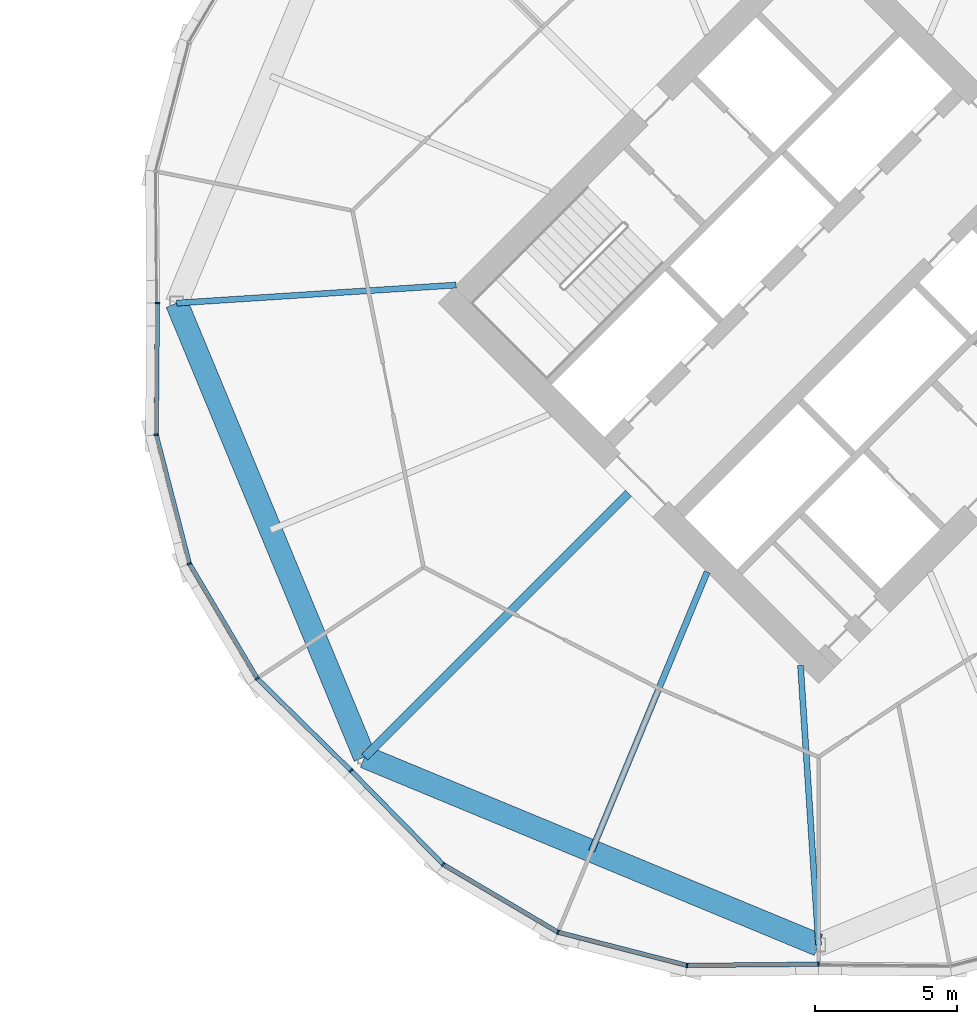
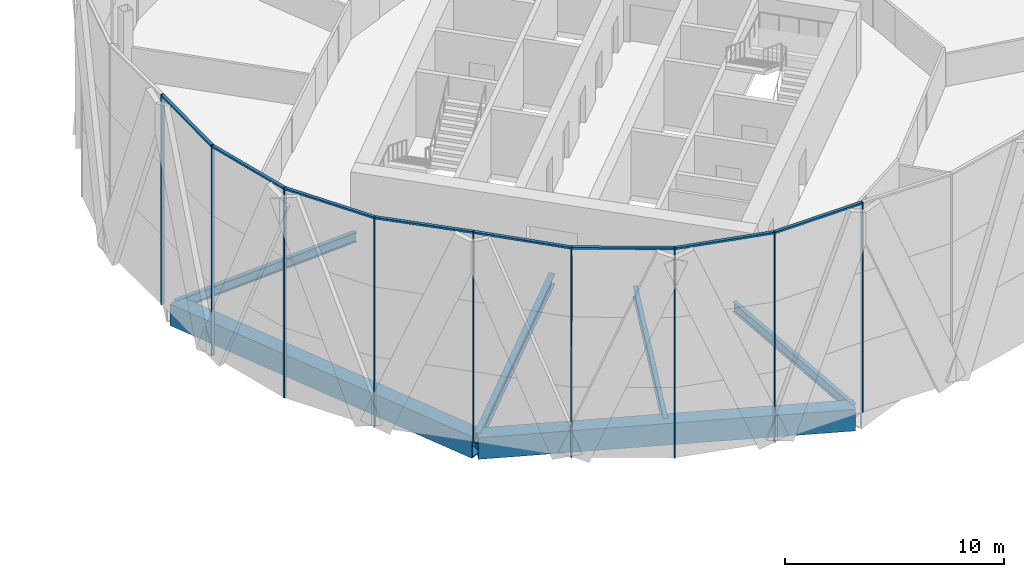
# One storey, part 10 of 26: 17 members, 6 beams, 3 elements without a shape of their own.
"""IFC4 building model written with IfcOpenShell, lengths in metres."""

from ifc_helpers import new_model, si_unit, direction, frame, origin, origin_2d, place, context, subcontext, project, spatial, rectangle, hollow_rectangle, i_section, extrude, material, material_profile, profile_set, type_object, element, aggregate, save


model = new_model("IFC4")

# Units and contexts
model_context = context("Model", 3, precision=1e-05, world=origin(), true_north=direction((0.0, 1.0)))
body_context = subcontext(model_context, "Body", "Model", "MODEL_VIEW")
ifc_project = project(units=[si_unit("LENGTHUNIT", "METRE"), si_unit("AREAUNIT", "SQUARE_METRE"), si_unit("VOLUMEUNIT", "CUBIC_METRE"), si_unit("PLANEANGLEUNIT", "RADIAN"), si_unit("MASSUNIT", "GRAM", prefix="KILO")], contexts=[model_context])

# Site, building, storey
site_placement = place(None, origin())
site = spatial("IfcSite", under=ifc_project, at=site_placement, CompositionType="ELEMENT")
building_placement = place(site_placement, origin())
building = spatial("IfcBuilding", under=site, at=building_placement, Name="Ogive Gate Towers", CompositionType="ELEMENT")
storey_placement = place(building_placement, frame((0.0, 0.0, 87.89990234375)))
storey = spatial("IfcBuildingStorey", under=building, at=storey_placement, Name="L20", CompositionType="ELEMENT", Elevation=87.89990234375)

# Beams
ifc_material_1 = material(Name="Steel SM460", Category="steel")
ifc_material_profile_1 = material_profile(ifc_material_1, hollow_rectangle(XDim=0.800048828125, YDim=1.199951171875, WallThickness=0.050048828125, at=origin_2d()), Name="BX 1200x800x50")
ifc_profile_set_1 = profile_set([ifc_material_profile_1], Name="Steel SM460")
beam_type_1 = type_object("IfcBeamType", Name="Edge girder BX 1200x800x50", PredefinedType="BEAM", material=ifc_profile_set_1)
for number, where, z_axis, x_axis, name in (
    (1, (19.969970703125, -16.030029296875, -0.89990234375), (0.923878777792, -0.382685254414, 0.0), (0.382685254414, 0.923878777792, 0.0), "T2/L20/SBM017"),
    (2, (13.330078125, 0.0, -0.89990234375), (0.382685254414, -0.923878777792, 0.0), (0.923878777792, 0.382685254414, 0.0), "T2/L20/SBM024"),
):
    element("IfcBeam", number, at=place(storey_placement, frame(where, z_axis=z_axis, x_axis=x_axis)), inside=storey, type_object=beam_type_1, Name=name, PredefinedType="BEAM", context=body_context, shape_type="SweptSolid", body=[
        extrude(hollow_rectangle(XDim=0.800048828125, YDim=1.199951171875, WallThickness=0.050048828125, at=origin_2d()), origin(), (0.0, 0.0, 1.0), 17.350830078125),
    ])
ifc_material_2 = material(Name="Steel SM355", Category="steel")
ifc_material_profile_2 = material_profile(ifc_material_2, i_section(OverallWidth=0.300048828125, OverallDepth=0.590087890625, WebThickness=0.012939453125, FlangeThickness=0.02490234375, FilletRadius=0.027099609375, at=origin_2d()), Name="HE 600 A")
ifc_profile_set_2 = profile_set([ifc_material_profile_2], Name="Steel SM355")
beam_type_2 = type_object("IfcBeamType", Name="Radial floor beam HE 600 A", PredefinedType="BEAM", material=ifc_profile_set_2)
beam_1_placement = place(storey_placement, frame((29.282470703125, -6.717529296875, -0.594970703125), z_axis=(-0.707106781187, -0.707106781187, 0.0), x_axis=(0.707106781187, -0.707106781187, 0.0)))
element("IfcBeam", 3, at=beam_1_placement, inside=storey, type_object=beam_type_2, Name="T2/L20/SBM001", PredefinedType="BEAM", context=body_context, shape_type="SweptSolid", body=[
    extrude(i_section(OverallWidth=0.300048828125, OverallDepth=0.590087890625, WebThickness=0.012939453125, FlangeThickness=0.02490234375, FilletRadius=0.027099609375, at=origin_2d()), origin(), (0.0, 0.0, 1.0), 13.169921875),
])
ifc_material_profile_3 = material_profile(ifc_material_2, i_section(OverallWidth=0.2099609375, OverallDepth=0.550048828125, WebThickness=0.010986328125, FlangeThickness=0.01708984375, FilletRadius=0.02392578125, at=origin_2d()), Name="IPE 550")
ifc_profile_set_3 = profile_set([ifc_material_profile_3], Name="Steel SM355")
beam_type_3 = type_object("IfcBeamType", Name="Radial floor beam IPE 550", PredefinedType="BEAM", material=ifc_profile_set_3)
for number, where, z_axis, x_axis, name in (
    (4, (35.363525390625, -12.798583984375, -0.574951171875), (0.064343427717, -0.997927814679, 0.0), (0.997927814679, 0.064343427717, 0.0), "T2/L20/SBM003"),
    (5, (23.201416015625, 0.636474609375, -0.574951171875), (-0.997927814679, -0.064343427717, 0.0), (0.064343427717, -0.997927814679, 0.0), "T2/L20/SBM015"),
):
    element("IfcBeam", number, at=place(storey_placement, frame(where, z_axis=z_axis, x_axis=x_axis)), inside=storey, type_object=beam_type_3, Name=name, PredefinedType="BEAM", context=body_context, shape_type="SweptSolid", body=[
        extrude(i_section(OverallWidth=0.2099609375, OverallDepth=0.550048828125, WebThickness=0.010986328125, FlangeThickness=0.01708984375, FilletRadius=0.02392578125, at=origin_2d()), origin(), (0.0, 0.0, 1.0), 9.891845703125),
    ])
ifc_material_profile_4 = material_profile(ifc_material_2, i_section(OverallWidth=0.219970703125, OverallDepth=0.60009765625, WebThickness=0.011962890625, FlangeThickness=0.01904296875, FilletRadius=0.02392578125, at=origin_2d()), Name="IPE 600")
ifc_profile_set_4 = profile_set([ifc_material_profile_4], Name="Steel SM355")
beam_type_4 = type_object("IfcBeamType", Name="Radial floor beam IPE 600", PredefinedType="BEAM", material=ifc_profile_set_4)
beam_2_placement = place(storey_placement, frame((32.06494140625, -9.5, -0.599853515625), z_axis=(-0.382686161148, -0.923878402208, 0.0), x_axis=(0.923878402208, -0.382686161148, 0.0)))
element("IfcBeam", 6, at=beam_2_placement, inside=storey, type_object=beam_type_4, Name="T2/L20/SBM002", PredefinedType="BEAM", context=body_context, shape_type="SweptSolid", body=[
    extrude(i_section(OverallWidth=0.219970703125, OverallDepth=0.60009765625, WebThickness=0.011962890625, FlangeThickness=0.01904296875, FilletRadius=0.02392578125, at=origin_2d()), origin(), (0.0, 0.0, 1.0), 10.66162109375),
])

# Curtain wall, member
ifc_material_3 = material(Name="Pale metal aluminium", Category="aluminium")
curtain_wall_type = type_object("IfcCurtainWallType", Name="Tower unitised wall, low zone", PredefinedType="NOTDEFINED", material=ifc_material_3)
curtain_wall_1_placement = place(storey_placement, origin())
curtain_wall_1 = element("IfcCurtainWall", 7, at=curtain_wall_1_placement, inside=storey, type_object=curtain_wall_type, Name="CW1 T2 ECW04", PredefinedType="NOTDEFINED")
ifc_material_profile_5 = material_profile(ifc_material_3, rectangle(XDim=0.159912109375, YDim=0.06005859375, at=origin_2d()), Name="60 x 160 aluminium box")
ifc_profile_set_5 = profile_set([ifc_material_profile_5], Name="Pale metal aluminium")
member_type_1 = type_object("IfcMemberType", Name="Tower unitised wall, low zone mullion 60 x 160", PredefinedType="MULLION", material=ifc_profile_set_5)
member_1_placement = place(storey_placement, frame((12.64990234375, 0.000244140625, -0.2998046875), z_axis=(0.0, 0.0, 1.0), x_axis=(-0.999956405756, -0.009337375811, 0.0)))
member_1 = element("IfcMember", 8, at=member_1_placement, type_object=member_type_1, Name="CW1 mullion", PredefinedType="MULLION", context=body_context, shape_type="SweptSolid", body=[
    extrude(rectangle(XDim=0.159912109375, YDim=0.06005859375, at=origin_2d()), origin(), (0.0, 0.0, 1.0), 11.699951171875),
])
aggregate(curtain_wall_1, [member_1])

# Curtain wall, members
curtain_wall_2_placement = place(storey_placement, origin())
curtain_wall_2 = element("IfcCurtainWall", 9, at=curtain_wall_2_placement, inside=storey, type_object=curtain_wall_type, Name="CW1 T2 ECW05", PredefinedType="NOTDEFINED")
member_2_placement = place(storey_placement, frame((12.6064453125, -4.647216796875, -0.2998046875), z_axis=(0.0, 0.0, 1.0), x_axis=(-0.992647900348, -0.121037787217, 0.0)))
member_2 = element("IfcMember", 10, at=member_2_placement, type_object=member_type_1, Name="CW1 mullion", PredefinedType="MULLION", context=body_context, shape_type="SweptSolid", body=[
    extrude(rectangle(XDim=0.159912109375, YDim=0.06005859375, at=origin_2d()), origin(), (0.0, 0.0, 1.0), 11.699951171875),
])
member_3_placement = place(storey_placement, frame((13.77978515625, -9.203857421875, -0.2998046875), z_axis=(0.0, 0.0, 1.0), x_axis=(-0.923879532511, -0.382683432365, 0.0)))
member_3 = element("IfcMember", 11, at=member_3_placement, type_object=member_type_1, Name="CW1 mullion", PredefinedType="MULLION", context=body_context, shape_type="SweptSolid", body=[
    extrude(rectangle(XDim=0.159912109375, YDim=0.06005859375, at=origin_2d()), origin(), (0.0, 0.0, 1.0), 11.699951171875),
])
member_4_placement = place(storey_placement, frame((16.172119140625, -13.255859375, -0.2998046875), z_axis=(0.0, 0.0, 1.0), x_axis=(-0.787494701787, -0.616321421546, 0.0)))
member_4 = element("IfcMember", 12, at=member_4_placement, type_object=member_type_1, Name="CW1 mullion", PredefinedType="MULLION", context=body_context, shape_type="SweptSolid", body=[
    extrude(rectangle(XDim=0.159912109375, YDim=0.06005859375, at=origin_2d()), origin(), (0.0, 0.0, 1.0), 11.699951171875),
])
member_5_placement = place(storey_placement, frame((19.489013671875, -16.5107421875, -0.2998046875), z_axis=(0.0, 0.0, 1.0), x_axis=(-0.700473433647, -0.713678477155, 0.0)))
member_5 = element("IfcMember", 13, at=member_5_placement, type_object=member_type_1, Name="CW1 mullion", PredefinedType="MULLION", context=body_context, shape_type="SweptSolid", body=[
    extrude(rectangle(XDim=0.159912109375, YDim=0.06005859375, at=origin_2d()), origin(), (0.0, 0.0, 1.0), 11.699951171875),
])

curtain_wall_3_placement = place(storey_placement, origin())
curtain_wall_3 = element("IfcCurtainWall", 14, at=curtain_wall_3_placement, inside=storey, type_object=curtain_wall_type, Name="CW1 T2 ECW06", PredefinedType="NOTDEFINED")
member_6_placement = place(storey_placement, frame((22.744140625, -19.827880859375, -0.2998046875), z_axis=(0.0, 0.0, 1.0), x_axis=(-0.616321421546, -0.787494701787, 0.0)))
member_6 = element("IfcMember", 15, at=member_6_placement, type_object=member_type_1, Name="CW1 mullion", PredefinedType="MULLION", context=body_context, shape_type="SweptSolid", body=[
    extrude(rectangle(XDim=0.159912109375, YDim=0.06005859375, at=origin_2d()), origin(), (0.0, 0.0, 1.0), 11.699951171875),
])
member_7_placement = place(storey_placement, frame((26.796142578125, -22.22021484375, -0.2998046875), z_axis=(0.0, 0.0, 1.0), x_axis=(-0.382683432365, -0.923879532511, 0.0)))
member_7 = element("IfcMember", 16, at=member_7_placement, type_object=member_type_1, Name="CW1 mullion", PredefinedType="MULLION", context=body_context, shape_type="SweptSolid", body=[
    extrude(rectangle(XDim=0.159912109375, YDim=0.06005859375, at=origin_2d()), origin(), (0.0, 0.0, 1.0), 11.699951171875),
])
member_8_placement = place(storey_placement, frame((31.352783203125, -23.3935546875, -0.2998046875), z_axis=(0.0, 0.0, 1.0), x_axis=(-0.121037787217, -0.992647900348, 0.0)))
member_8 = element("IfcMember", 17, at=member_8_placement, type_object=member_type_1, Name="CW1 mullion", PredefinedType="MULLION", context=body_context, shape_type="SweptSolid", body=[
    extrude(rectangle(XDim=0.159912109375, YDim=0.06005859375, at=origin_2d()), origin(), (0.0, 0.0, 1.0), 11.699951171875),
])
member_9_placement = place(storey_placement, frame((35.999755859375, -23.35009765625, -0.2998046875), z_axis=(0.0, 0.0, 1.0), x_axis=(0.009337375811, -0.999956405756, 0.0)))
member_9 = element("IfcMember", 18, at=member_9_placement, type_object=member_type_1, Name="CW1 mullion", PredefinedType="MULLION", context=body_context, shape_type="SweptSolid", body=[
    extrude(rectangle(XDim=0.159912109375, YDim=0.06005859375, at=origin_2d()), origin(), (0.0, 0.0, 1.0), 11.699951171875),
])

# Member
ifc_material_profile_6 = material_profile(ifc_material_3, rectangle(XDim=0.159912109375, YDim=0.10009765625, at=origin_2d()), Name="100 x 160 aluminium box")
ifc_profile_set_6 = profile_set([ifc_material_profile_6], Name="Pale metal aluminium")
member_type_2 = type_object("IfcMemberType", Name="Tower unitised wall, low zone transom 100 x 160", PredefinedType="USERDEFINED", material=ifc_profile_set_6)
member_10_placement = place(storey_placement, frame((12.649658203125, -0.0302734375, 11.35009765625), z_axis=(-0.009309097625, -0.999956669412, 0.0), x_axis=(0.999956669412, -0.009309097625, 0.0)))
member_10 = element("IfcMember", 19, at=member_10_placement, type_object=member_type_2, Name="CW1 transom", ObjectType="TRANSOM", PredefinedType="USERDEFINED", context=body_context, shape_type="SweptSolid", body=[
    extrude(rectangle(XDim=0.159912109375, YDim=0.10009765625, at=origin_2d()), origin(), (0.0, 0.0, 1.0), 4.589599609375),
])

member_11_placement = place(storey_placement, frame((12.61328125, -4.673583984375, 11.35009765625), z_axis=(0.249396942248, -0.968401345103, 0.0), x_axis=(0.968401345103, 0.249396942248, 0.0)))
member_11 = element("IfcMember", 20, at=member_11_placement, type_object=member_type_2, Name="CW1 transom", ObjectType="TRANSOM", PredefinedType="USERDEFINED", context=body_context, shape_type="SweptSolid", body=[
    extrude(rectangle(XDim=0.159912109375, YDim=0.10009765625, at=origin_2d()), origin(), (0.0, 0.0, 1.0), 4.65087890625),
])

member_12_placement = place(storey_placement, frame((13.793701171875, -9.227294921875, 11.35009765625), z_axis=(0.508446321339, -0.861093687305, 0.0), x_axis=(0.861093687305, 0.508446321339, 0.0)))
member_12 = element("IfcMember", 21, at=member_12_placement, type_object=member_type_2, Name="CW1 transom", ObjectType="TRANSOM", PredefinedType="USERDEFINED", context=body_context, shape_type="SweptSolid", body=[
    extrude(rectangle(XDim=0.159912109375, YDim=0.10009765625, at=origin_2d()), origin(), (0.0, 0.0, 1.0), 4.65087890625),
])

member_13_placement = place(storey_placement, frame((16.19189453125, -13.27490234375, 11.35009765625), z_axis=(0.713698369312, -0.700453165916, 0.0), x_axis=(0.700453165916, 0.713698369312, 0.0)))
member_13 = element("IfcMember", 22, at=member_13_placement, type_object=member_type_2, Name="CW1 transom", ObjectType="TRANSOM", PredefinedType="USERDEFINED", context=body_context, shape_type="SweptSolid", body=[
    extrude(rectangle(XDim=0.159912109375, YDim=0.10009765625, at=origin_2d()), origin(), (0.0, 0.0, 1.0), 4.589599609375),
])

aggregate(curtain_wall_2, [member_2, member_10, member_3, member_11, member_4, member_12, member_5, member_13])

member_14_placement = place(storey_placement, frame((19.51025390625, -16.532470703125, 11.35009765625), z_axis=(0.700453165916, -0.713698369312, 0.0), x_axis=(0.713698369312, 0.700453165916, 0.0)))
member_14 = element("IfcMember", 23, at=member_14_placement, type_object=member_type_2, Name="CW1 transom", ObjectType="TRANSOM", PredefinedType="USERDEFINED", context=body_context, shape_type="SweptSolid", body=[
    extrude(rectangle(XDim=0.159912109375, YDim=0.10009765625, at=origin_2d()), origin(), (0.0, 0.0, 1.0), 4.589599609375),
])

member_15_placement = place(storey_placement, frame((22.767822265625, -19.841552734375, 11.35009765625), z_axis=(0.861093687305, -0.508446321339, 0.0), x_axis=(0.508446321339, 0.861093687305, 0.0)))
member_15 = element("IfcMember", 24, at=member_15_placement, type_object=member_type_2, Name="CW1 transom", ObjectType="TRANSOM", PredefinedType="USERDEFINED", context=body_context, shape_type="SweptSolid", body=[
    extrude(rectangle(XDim=0.159912109375, YDim=0.10009765625, at=origin_2d()), origin(), (0.0, 0.0, 1.0), 4.65087890625),
])

member_16_placement = place(storey_placement, frame((26.822509765625, -22.226806640625, 11.35009765625), z_axis=(0.968401345103, -0.249396942248, 0.0), x_axis=(0.249396942248, 0.968401345103, 0.0)))
member_16 = element("IfcMember", 25, at=member_16_placement, type_object=member_type_2, Name="CW1 transom", ObjectType="TRANSOM", PredefinedType="USERDEFINED", context=body_context, shape_type="SweptSolid", body=[
    extrude(rectangle(XDim=0.159912109375, YDim=0.10009765625, at=origin_2d()), origin(), (0.0, 0.0, 1.0), 4.65087890625),
])

member_17_placement = place(storey_placement, frame((31.38037109375, -23.39306640625, 11.35009765625), z_axis=(0.999956669412, 0.009309097625, 0.0), x_axis=(-0.009309097625, 0.999956669412, 0.0)))
member_17 = element("IfcMember", 26, at=member_17_placement, type_object=member_type_2, Name="CW1 transom", ObjectType="TRANSOM", PredefinedType="USERDEFINED", context=body_context, shape_type="SweptSolid", body=[
    extrude(rectangle(XDim=0.159912109375, YDim=0.10009765625, at=origin_2d()), origin(), (0.0, 0.0, 1.0), 4.589599609375),
])

aggregate(curtain_wall_3, [member_6, member_14, member_7, member_15, member_8, member_16, member_9, member_17])

save(model, "model.ifc")
